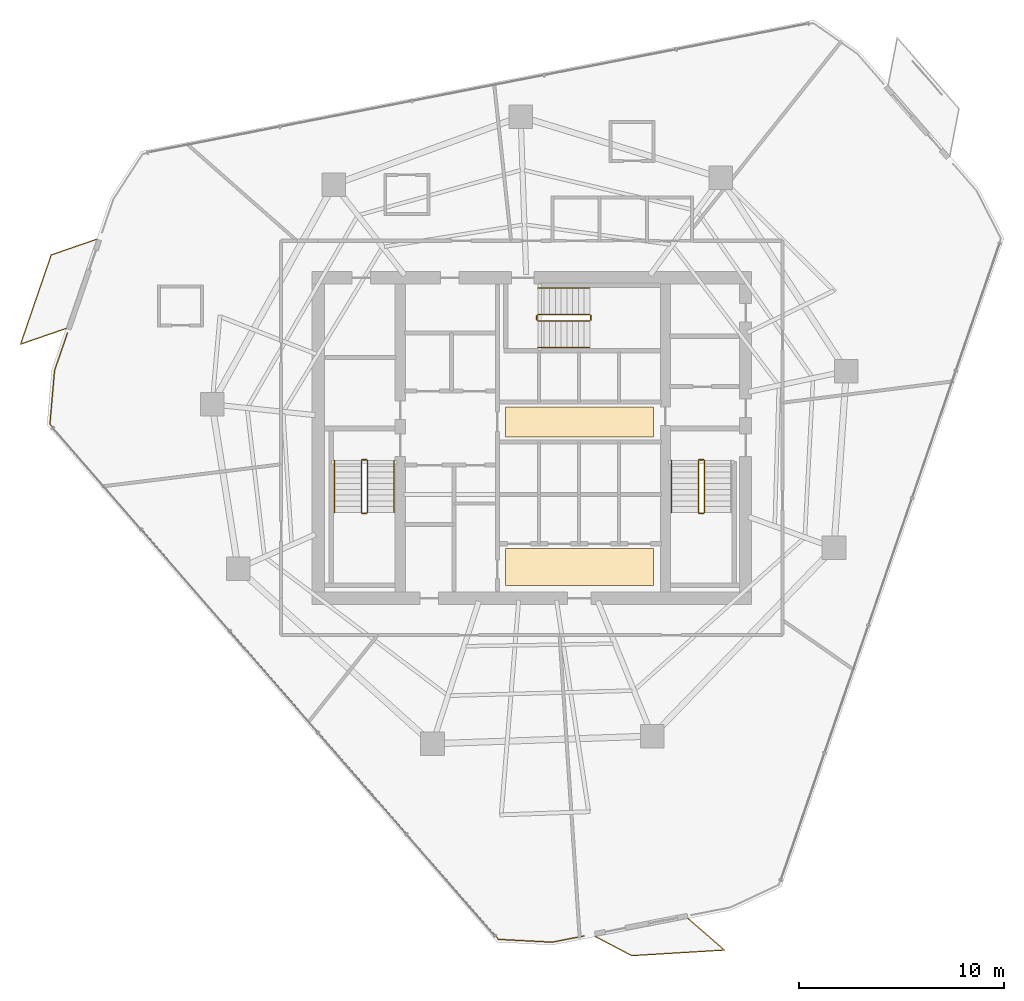
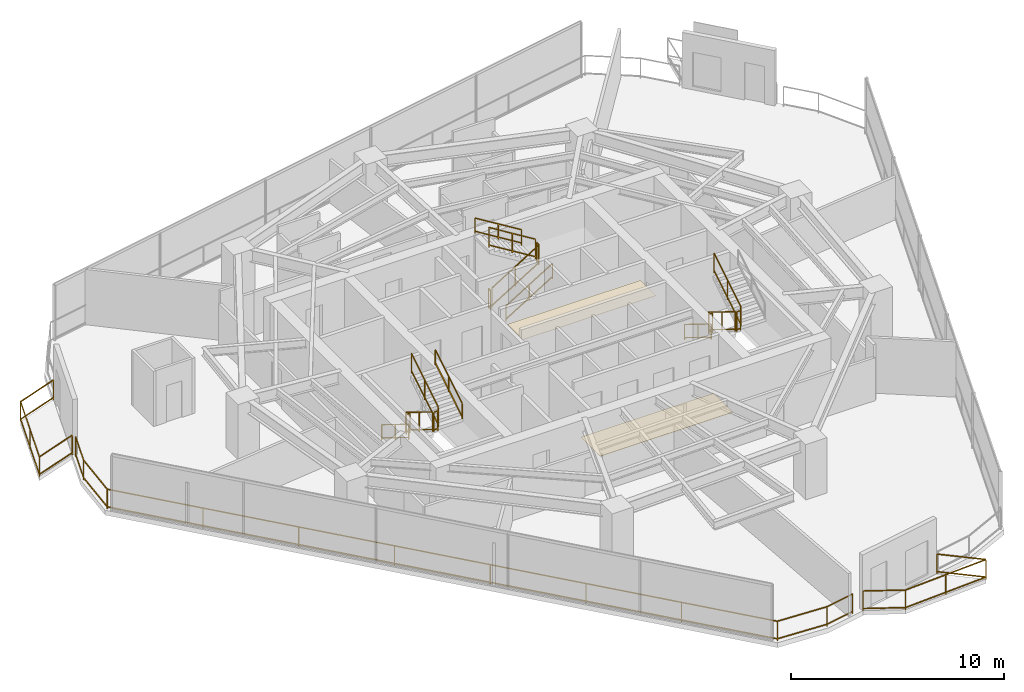
# One storey, part 26 of 27: 20 railings, 2 coverings.
"""IFC4 building model written with IfcOpenShell, lengths in metres."""

from ifc_helpers import new_model, si_unit, direction, frame, origin, origin_2d, place, context, subcontext, project, spatial, rectangle, extrude, material, layer, layer_set, type_object, element, save


model = new_model("IFC4")

# Units and contexts
model_context = context("Model", 3, precision=1e-05, world=origin(), true_north=direction((0.0, 1.0)))
body_context = subcontext(model_context, "Body", "Model", "MODEL_VIEW")
ifc_project = project(units=[si_unit("LENGTHUNIT", "METRE"), si_unit("AREAUNIT", "SQUARE_METRE"), si_unit("VOLUMEUNIT", "CUBIC_METRE"), si_unit("PLANEANGLEUNIT", "RADIAN"), si_unit("MASSUNIT", "GRAM", prefix="KILO")], contexts=[model_context])

# Site, building, storey
site_placement = place(None, origin())
site = spatial("IfcSite", under=ifc_project, at=site_placement, CompositionType="ELEMENT")
building_placement = place(site_placement, origin())
building = spatial("IfcBuilding", under=site, at=building_placement, Name="Qarnah Convention Tower", CompositionType="ELEMENT")
storey_placement = place(building_placement, frame((0.0, 0.0, 107.39990234375)))
storey = spatial("IfcBuildingStorey", under=building, at=storey_placement, Name="L28", CompositionType="ELEMENT", Elevation=107.39990234375)

# Coverings
ifc_material_1 = material(Name="Mineral fibre acoustic ceiling")
ifc_layer_1 = layer(ifc_material_1, 0.02001953125)
ifc_layer_set_1 = layer_set([ifc_layer_1], Name="Mineral fibre acoustic ceiling")
covering_type_1 = type_object("IfcCoveringType", Name="COV-CEIL-20", PredefinedType="CEILING", material=ifc_layer_set_1)
covering_1_placement = place(storey_placement, frame((39.52001953125, 27.179931640625, 2.2900390625), z_axis=(0.0, 0.0, 1.0), x_axis=(1.0, 0.0, 0.0)))
element("IfcCovering", 1, at=covering_1_placement, inside=storey, type_object=covering_type_1, Name="L28 lift lobby acoustic ceiling", PredefinedType="CEILING", context=body_context, shape_type="SweptSolid", body=[
    extrude(rectangle(XDim=7.199951171875, YDim=1.449951171875, at=origin_2d()), origin(), (0.0, 0.0, 1.0), 0.02001953125),
])
ifc_material_2 = material(Name="Porcelain stone floor tile", Category="masonry")
ifc_layer_2 = layer(ifc_material_2, 0.02001953125)
ifc_layer_set_2 = layer_set([ifc_layer_2], Name="Porcelain stone floor tile")
covering_type_2 = type_object("IfcCoveringType", Name="COV-FLOOR-20", PredefinedType="FLOORING", material=ifc_layer_set_2)
covering_2_placement = place(storey_placement, frame((39.52001953125, 20.1201171875, 0.0), z_axis=(0.0, 0.0, 1.0), x_axis=(1.0, 0.0, 0.0)))
element("IfcCovering", 2, at=covering_2_placement, inside=storey, type_object=covering_type_2, Name="L28 lift lobby porcelain stone flooring", PredefinedType="FLOORING", context=body_context, shape_type="SweptSolid", body=[
    extrude(rectangle(XDim=7.199951171875, YDim=1.800048828125, at=origin_2d()), origin(), (0.0, 0.0, 1.0), 0.02001953125),
])

# Railings
ifc_material_3 = material(Name="Black anodised aluminium", Category="aluminium")
railing_type_1 = type_object("IfcRailingType", Name="RL-EXT-GUARD-1150", PredefinedType="GUARDRAIL", material=ifc_material_3)
railing_1_placement = place(storey_placement, frame((39.75390625, 2.1640625, 0.0)))
element("IfcRailing", 3, at=railing_1_placement, inside=storey, type_object=railing_type_1, Name="L28 slab-edge perimeter safety guard 03", PredefinedType="GUARDRAIL", context=body_context, shape_type="SweptSolid", body=[
    extrude(rectangle(XDim=0.048095703125, YDim=0.048095703125, at=origin_2d()), frame((0.0, 0.0, 1.1259765625), z_axis=(-0.981511645843, -0.191402427036, 0.0), x_axis=(0.191402427036, -0.981511645843, 0.0)), (0.0, 0.0, 1.0), 1.594482421875),
    extrude(rectangle(XDim=0.048095703125, YDim=0.048095703125, at=origin_2d()), frame((0.0, 0.0, 0.1201171875), z_axis=(-0.981511645843, -0.191402427036, 0.0), x_axis=(0.191402427036, -0.981511645843, 0.0)), (0.0, 0.0, 1.0), 1.594482421875),
    extrude(rectangle(XDim=0.048095703125, YDim=0.048095703125, at=origin_2d()), frame((-1.56494140625, -0.30517578125, 1.1259765625), z_axis=(-0.998665898346, 0.051637423262, 0.0), x_axis=(-0.051637423262, -0.998665898346, 0.0)), (0.0, 0.0, 1.0), 2.614501953125),
    extrude(rectangle(XDim=0.048095703125, YDim=0.048095703125, at=origin_2d()), frame((-1.56494140625, -0.30517578125, 0.1201171875), z_axis=(-0.998665898346, 0.051637423262, 0.0), x_axis=(-0.051637423262, -0.998665898346, 0.0)), (0.0, 0.0, 1.0), 2.614501953125),
    extrude(rectangle(XDim=0.048095703125, YDim=0.048095703125, at=origin_2d()), frame((-4.176025390625, -0.170166015625, 1.1259765625), z_axis=(-0.656581410369, 0.754255163428, 0.0), x_axis=(-0.754255163428, -0.656581410369, 0.0)), (0.0, 0.0, 1.0), 33.254150390625),
    extrude(rectangle(XDim=0.048095703125, YDim=0.048095703125, at=origin_2d()), frame((-4.176025390625, -0.170166015625, 0.1201171875), z_axis=(-0.656581410369, 0.754255163428, 0.0), x_axis=(-0.754255163428, -0.656581410369, 0.0)), (0.0, 0.0, 1.0), 33.254150390625),
    extrude(rectangle(XDim=0.048095703125, YDim=0.048095703125, at=origin_2d()), frame((-26.010009765625, 24.911865234375, 1.1259765625), z_axis=(0.086089688336, 0.996287391048, 0.0), x_axis=(-0.996287391048, 0.086089688336, 0.0)), (0.0, 0.0, 1.0), 2.61474609375),
    extrude(rectangle(XDim=0.048095703125, YDim=0.048095703125, at=origin_2d()), frame((-26.010009765625, 24.911865234375, 0.1201171875), z_axis=(0.086089688336, 0.996287391048, 0.0), x_axis=(-0.996287391048, 0.086089688336, 0.0)), (0.0, 0.0, 1.0), 2.61474609375),
    extrude(rectangle(XDim=0.048095703125, YDim=0.048095703125, at=origin_2d()), frame((-25.784912109375, 27.516845703125, 1.1259765625), z_axis=(0.325041112416, 0.945699886454, 0.0), x_axis=(-0.945699886454, 0.325041112416, 0.0)), (0.0, 0.0, 1.0), 1.941650390625),
    extrude(rectangle(XDim=0.048095703125, YDim=0.048095703125, at=origin_2d()), frame((-25.784912109375, 27.516845703125, 0.1201171875), z_axis=(0.325041112416, 0.945699886454, 0.0), x_axis=(-0.945699886454, 0.325041112416, 0.0)), (0.0, 0.0, 1.0), 1.941650390625),
    extrude(rectangle(XDim=0.0419921875, YDim=0.0419921875, at=origin_2d()), origin(), (0.0, 0.0, 1.0), 1.101806640625),
    extrude(rectangle(XDim=0.0419921875, YDim=0.0419921875, at=origin_2d()), frame((-1.56494140625, -0.30517578125, 0.0)), (0.0, 0.0, 1.0), 1.101806640625),
    extrude(rectangle(XDim=0.0419921875, YDim=0.0419921875, at=origin_2d()), frame((-4.176025390625, -0.170166015625, 0.0)), (0.0, 0.0, 1.0), 1.101806640625),
    extrude(rectangle(XDim=0.0419921875, YDim=0.0419921875, at=origin_2d()), frame((-7.295166015625, 3.4130859375, 0.0)), (0.0, 0.0, 1.0), 1.101806640625),
    extrude(rectangle(XDim=0.0419921875, YDim=0.0419921875, at=origin_2d()), frame((-10.414306640625, 6.99609375, 0.0)), (0.0, 0.0, 1.0), 1.101806640625),
    extrude(rectangle(XDim=0.0419921875, YDim=0.0419921875, at=origin_2d()), frame((-13.533447265625, 10.579345703125, 0.0)), (0.0, 0.0, 1.0), 1.101806640625),
    extrude(rectangle(XDim=0.0419921875, YDim=0.0419921875, at=origin_2d()), frame((-16.652587890625, 14.162353515625, 0.0)), (0.0, 0.0, 1.0), 1.101806640625),
    extrude(rectangle(XDim=0.0419921875, YDim=0.0419921875, at=origin_2d()), frame((-19.771728515625, 17.74560546875, 0.0)), (0.0, 0.0, 1.0), 1.101806640625),
    extrude(rectangle(XDim=0.0419921875, YDim=0.0419921875, at=origin_2d()), frame((-22.890869140625, 21.32861328125, 0.0)), (0.0, 0.0, 1.0), 1.101806640625),
    extrude(rectangle(XDim=0.0419921875, YDim=0.0419921875, at=origin_2d()), frame((-26.010009765625, 24.911865234375, 0.0)), (0.0, 0.0, 1.0), 1.101806640625),
    extrude(rectangle(XDim=0.0419921875, YDim=0.0419921875, at=origin_2d()), frame((-25.784912109375, 27.516845703125, 0.0)), (0.0, 0.0, 1.0), 1.101806640625),
    extrude(rectangle(XDim=0.0419921875, YDim=0.0419921875, at=origin_2d()), frame((-25.15380859375, 29.35302734375, 0.0)), (0.0, 0.0, 1.0), 1.101806640625),
])
railing_2_placement = place(storey_placement, frame((14.529052734375, 31.72509765625, 0.0)))
element("IfcRailing", 4, at=railing_2_placement, inside=storey, type_object=railing_type_1, Name="L28 balcony safety guard BAL-L28-C2", PredefinedType="GUARDRAIL", context=body_context, shape_type="SweptSolid", body=[
    extrude(rectangle(XDim=0.048095703125, YDim=0.048095703125, at=origin_2d()), frame((0.0, 0.0, 1.1259765625), z_axis=(-0.945377402936, -0.325977861239, 0.0), x_axis=(0.325977861239, -0.945377402936, 0.0)), (0.0, 0.0, 1.0), 2.34716796875),
    extrude(rectangle(XDim=0.048095703125, YDim=0.048095703125, at=origin_2d()), frame((0.0, 0.0, 0.1201171875), z_axis=(-0.945377402936, -0.325977861239, 0.0), x_axis=(0.325977861239, -0.945377402936, 0.0)), (0.0, 0.0, 1.0), 2.34716796875),
    extrude(rectangle(XDim=0.048095703125, YDim=0.048095703125, at=origin_2d()), frame((-2.218994140625, -0.76513671875, 1.1259765625), z_axis=(0.324797895761, 0.945783446096, 0.0), x_axis=(-0.945783446096, 0.324797895761, 0.0)), (0.0, 0.0, 1.0), 4.599365234375),
    extrude(rectangle(XDim=0.048095703125, YDim=0.048095703125, at=origin_2d()), frame((-2.218994140625, -0.76513671875, 0.1201171875), z_axis=(0.324797895761, 0.945783446096, 0.0), x_axis=(-0.945783446096, 0.324797895761, 0.0)), (0.0, 0.0, 1.0), 4.599365234375),
    extrude(rectangle(XDim=0.048095703125, YDim=0.048095703125, at=origin_2d()), frame((-0.72509765625, 3.5849609375, 1.1259765625), z_axis=(0.945281209549, 0.326256700886, 0.0), x_axis=(-0.326256700886, 0.945281209549, 0.0)), (0.0, 0.0, 1.0), 2.347412109375),
    extrude(rectangle(XDim=0.048095703125, YDim=0.048095703125, at=origin_2d()), frame((-0.72509765625, 3.5849609375, 0.1201171875), z_axis=(0.945281209549, 0.326256700886, 0.0), x_axis=(-0.326256700886, 0.945281209549, 0.0)), (0.0, 0.0, 1.0), 2.347412109375),
    extrude(rectangle(XDim=0.0419921875, YDim=0.0419921875, at=origin_2d()), origin(), (0.0, 0.0, 1.0), 1.101806640625),
    extrude(rectangle(XDim=0.0419921875, YDim=0.0419921875, at=origin_2d()), frame((-2.218994140625, -0.76513671875, 0.0)), (0.0, 0.0, 1.0), 1.101806640625),
    extrude(rectangle(XDim=0.0419921875, YDim=0.0419921875, at=origin_2d()), frame((-1.47216796875, 1.409912109375, 0.0)), (0.0, 0.0, 1.0), 1.101806640625),
    extrude(rectangle(XDim=0.0419921875, YDim=0.0419921875, at=origin_2d()), frame((-0.72509765625, 3.5849609375, 0.0)), (0.0, 0.0, 1.0), 1.101806640625),
    extrude(rectangle(XDim=0.0419921875, YDim=0.0419921875, at=origin_2d()), frame((1.493896484375, 4.350830078125, 0.0)), (0.0, 0.0, 1.0), 1.101806640625),
])
railing_3_placement = place(storey_placement, frame((44.805908203125, 3.011962890625, 0.0)))
element("IfcRailing", 5, at=railing_3_placement, inside=storey, type_object=railing_type_1, Name="L28 balcony safety guard BAL-L28-C3", PredefinedType="GUARDRAIL", context=body_context, shape_type="SweptSolid", body=[
    extrude(rectangle(XDim=0.048095703125, YDim=0.048095703125, at=origin_2d()), frame((0.0, 0.0, 1.1259765625), z_axis=(0.755205133166, -0.655488525331, 0.0), x_axis=(0.655488525331, 0.755205133166, 0.0)), (0.0, 0.0, 1.0), 2.347900390625),
    extrude(rectangle(XDim=0.048095703125, YDim=0.048095703125, at=origin_2d()), frame((0.0, 0.0, 0.1201171875), z_axis=(0.755205133166, -0.655488525331, 0.0), x_axis=(0.655488525331, 0.755205133166, 0.0)), (0.0, 0.0, 1.0), 2.347900390625),
    extrude(rectangle(XDim=0.048095703125, YDim=0.048095703125, at=origin_2d()), frame((1.773193359375, -1.5390625, 1.1259765625), z_axis=(-0.998177768442, -0.060341880887, 0.0), x_axis=(0.060341880887, -0.998177768442, 0.0)), (0.0, 0.0, 1.0), 4.5234375),
    extrude(rectangle(XDim=0.048095703125, YDim=0.048095703125, at=origin_2d()), frame((1.773193359375, -1.5390625, 0.1201171875), z_axis=(-0.998177768442, -0.060341880887, 0.0), x_axis=(0.060341880887, -0.998177768442, 0.0)), (0.0, 0.0, 1.0), 4.5234375),
    extrude(rectangle(XDim=0.048095703125, YDim=0.048095703125, at=origin_2d()), frame((-2.741943359375, -1.81201171875, 1.1259765625), z_axis=(-0.885325139005, 0.464972470417, 0.0), x_axis=(-0.464972470417, -0.885325139005, 0.0)), (0.0, 0.0, 1.0), 2.002685546875),
    extrude(rectangle(XDim=0.048095703125, YDim=0.048095703125, at=origin_2d()), frame((-2.741943359375, -1.81201171875, 0.1201171875), z_axis=(-0.885325139005, 0.464972470417, 0.0), x_axis=(-0.464972470417, -0.885325139005, 0.0)), (0.0, 0.0, 1.0), 2.002685546875),
    extrude(rectangle(XDim=0.0419921875, YDim=0.0419921875, at=origin_2d()), origin(), (0.0, 0.0, 1.0), 1.101806640625),
    extrude(rectangle(XDim=0.0419921875, YDim=0.0419921875, at=origin_2d()), frame((1.773193359375, -1.5390625, 0.0)), (0.0, 0.0, 1.0), 1.101806640625),
    extrude(rectangle(XDim=0.0419921875, YDim=0.0419921875, at=origin_2d()), frame((-0.484375, -1.675537109375, 0.0)), (0.0, 0.0, 1.0), 1.101806640625),
    extrude(rectangle(XDim=0.0419921875, YDim=0.0419921875, at=origin_2d()), frame((-2.741943359375, -1.81201171875, 0.0)), (0.0, 0.0, 1.0), 1.101806640625),
    extrude(rectangle(XDim=0.0419921875, YDim=0.0419921875, at=origin_2d()), frame((-4.514892578125, -0.880859375, 0.0)), (0.0, 0.0, 1.0), 1.101806640625),
])
ifc_material_4 = material(Name="Structural steel S355JR", Category="steel")
railing_type_2 = type_object("IfcRailingType", Name="RL-STAIR-GUARD-1150", PredefinedType="GUARDRAIL", material=ifc_material_4)
railing_4_placement = place(storey_placement, frame((28.89990234375, 25.300048828125, 0.172607421875)))
element("IfcRailing", 6, at=railing_4_placement, inside=storey, type_object=railing_type_2, Name="L28 ST-1 stair guard 1", PredefinedType="GUARDRAIL", context=body_context, shape_type="SweptSolid", body=[
    extrude(rectangle(XDim=0.048095703125, YDim=0.048095703125, at=origin_2d()), frame((0.0, 0.0, 1.1259765625), z_axis=(0.0, -0.851400495292, 0.524516154772), x_axis=(1.0, 0.0, 0.0)), (0.0, 0.0, 1.0), 2.9599609375),
    extrude(rectangle(XDim=0.048095703125, YDim=0.048095703125, at=origin_2d()), frame((0.0, 0.0, 0.1201171875), z_axis=(0.0, -0.851400495292, 0.524516154772), x_axis=(1.0, 0.0, 0.0)), (0.0, 0.0, 1.0), 2.9599609375),
    extrude(rectangle(XDim=0.0419921875, YDim=0.0419921875, at=origin_2d()), origin(), (0.0, 0.0, 1.0), 1.101806640625),
    extrude(rectangle(XDim=0.0419921875, YDim=0.0419921875, at=origin_2d()), frame((0.0, -1.260009765625, 0.7763671875)), (0.0, 0.0, 1.0), 1.101806640625),
    extrude(rectangle(XDim=0.0419921875, YDim=0.0419921875, at=origin_2d()), frame((0.0, -2.52001953125, 1.552490234375)), (0.0, 0.0, 1.0), 1.101806640625),
])
railing_5_placement = place(storey_placement, frame((28.949951171875, 22.72998046875, 1.72509765625)))
element("IfcRailing", 7, at=railing_5_placement, inside=storey, type_object=railing_type_2, Name="L28 ST-1 stair guard 2", PredefinedType="GUARDRAIL", context=body_context, shape_type="SweptSolid", body=[
    extrude(rectangle(XDim=0.048095703125, YDim=0.048095703125, at=origin_2d()), frame((0.0, 0.0, 1.1259765625), z_axis=(1.0, 0.0, 0.0), x_axis=(0.0, 1.0, 0.0)), (0.0, 0.0, 1.0), 0.199951171875),
    extrude(rectangle(XDim=0.048095703125, YDim=0.048095703125, at=origin_2d()), frame((0.0, 0.0, 0.1201171875), z_axis=(1.0, 0.0, 0.0), x_axis=(0.0, 1.0, 0.0)), (0.0, 0.0, 1.0), 0.199951171875),
    extrude(rectangle(XDim=0.0419921875, YDim=0.0419921875, at=origin_2d()), origin(), (0.0, 0.0, 1.0), 1.101806640625),
    extrude(rectangle(XDim=0.0419921875, YDim=0.0419921875, at=origin_2d()), frame((0.199951171875, 0.0, 0.0)), (0.0, 0.0, 1.0), 1.101806640625),
])
railing_6_placement = place(storey_placement, frame((29.199951171875, 22.780029296875, 1.897705078125)))
element("IfcRailing", 8, at=railing_6_placement, inside=storey, type_object=railing_type_2, Name="L28 ST-1 stair guard 3", PredefinedType="GUARDRAIL", context=body_context, shape_type="SweptSolid", body=[
    extrude(rectangle(XDim=0.048095703125, YDim=0.048095703125, at=origin_2d()), frame((0.0, 0.0, 1.1259765625), z_axis=(0.0, 0.851400495292, 0.524516154772), x_axis=(-1.0, 0.0, 0.0)), (0.0, 0.0, 1.0), 2.9599609375),
    extrude(rectangle(XDim=0.048095703125, YDim=0.048095703125, at=origin_2d()), frame((0.0, 0.0, 0.1201171875), z_axis=(0.0, 0.851400495292, 0.524516154772), x_axis=(-1.0, 0.0, 0.0)), (0.0, 0.0, 1.0), 2.9599609375),
    extrude(rectangle(XDim=0.0419921875, YDim=0.0419921875, at=origin_2d()), origin(), (0.0, 0.0, 1.0), 1.101806640625),
    extrude(rectangle(XDim=0.0419921875, YDim=0.0419921875, at=origin_2d()), frame((0.0, 1.260009765625, 0.7763671875)), (0.0, 0.0, 1.0), 1.101806640625),
    extrude(rectangle(XDim=0.0419921875, YDim=0.0419921875, at=origin_2d()), frame((0.0, 2.52001953125, 1.552490234375)), (0.0, 0.0, 1.0), 1.101806640625),
])
railing_7_placement = place(storey_placement, frame((28.949951171875, 25.35009765625, 0.0)))
element("IfcRailing", 9, at=railing_7_placement, inside=storey, type_object=railing_type_2, Name="L28 ST-1 stair guard 4", PredefinedType="GUARDRAIL", context=body_context, shape_type="SweptSolid", body=[
    extrude(rectangle(XDim=0.048095703125, YDim=0.048095703125, at=origin_2d()), frame((0.0, 0.0, 1.1259765625), z_axis=(1.0, 0.0, 0.0), x_axis=(0.0, 1.0, 0.0)), (0.0, 0.0, 1.0), 0.199951171875),
    extrude(rectangle(XDim=0.048095703125, YDim=0.048095703125, at=origin_2d()), frame((0.0, 0.0, 0.1201171875), z_axis=(1.0, 0.0, 0.0), x_axis=(0.0, 1.0, 0.0)), (0.0, 0.0, 1.0), 0.199951171875),
    extrude(rectangle(XDim=0.0419921875, YDim=0.0419921875, at=origin_2d()), origin(), (0.0, 0.0, 1.0), 1.101806640625),
    extrude(rectangle(XDim=0.0419921875, YDim=0.0419921875, at=origin_2d()), frame((0.199951171875, 0.0, 0.0)), (0.0, 0.0, 1.0), 1.101806640625),
])
railing_8_placement = place(storey_placement, frame((45.300048828125, 25.300048828125, 0.172607421875)))
element("IfcRailing", 10, at=railing_8_placement, inside=storey, type_object=railing_type_2, Name="L28 ST-2 stair guard 1", PredefinedType="GUARDRAIL", context=body_context, shape_type="SweptSolid", body=[
    extrude(rectangle(XDim=0.048095703125, YDim=0.048095703125, at=origin_2d()), frame((0.0, 0.0, 1.1259765625), z_axis=(0.0, -0.851400495292, 0.524516154772), x_axis=(1.0, 0.0, 0.0)), (0.0, 0.0, 1.0), 2.9599609375),
    extrude(rectangle(XDim=0.048095703125, YDim=0.048095703125, at=origin_2d()), frame((0.0, 0.0, 0.1201171875), z_axis=(0.0, -0.851400495292, 0.524516154772), x_axis=(1.0, 0.0, 0.0)), (0.0, 0.0, 1.0), 2.9599609375),
    extrude(rectangle(XDim=0.0419921875, YDim=0.0419921875, at=origin_2d()), origin(), (0.0, 0.0, 1.0), 1.101806640625),
    extrude(rectangle(XDim=0.0419921875, YDim=0.0419921875, at=origin_2d()), frame((0.0, -1.260009765625, 0.7763671875)), (0.0, 0.0, 1.0), 1.101806640625),
    extrude(rectangle(XDim=0.0419921875, YDim=0.0419921875, at=origin_2d()), frame((0.0, -2.52001953125, 1.552490234375)), (0.0, 0.0, 1.0), 1.101806640625),
])
railing_9_placement = place(storey_placement, frame((45.35009765625, 22.72998046875, 1.72509765625)))
element("IfcRailing", 11, at=railing_9_placement, inside=storey, type_object=railing_type_2, Name="L28 ST-2 stair guard 2", PredefinedType="GUARDRAIL", context=body_context, shape_type="SweptSolid", body=[
    extrude(rectangle(XDim=0.048095703125, YDim=0.048095703125, at=origin_2d()), frame((0.0, 0.0, 1.1259765625), z_axis=(1.0, 0.0, 0.0), x_axis=(0.0, 1.0, 0.0)), (0.0, 0.0, 1.0), 0.199951171875),
    extrude(rectangle(XDim=0.048095703125, YDim=0.048095703125, at=origin_2d()), frame((0.0, 0.0, 0.1201171875), z_axis=(1.0, 0.0, 0.0), x_axis=(0.0, 1.0, 0.0)), (0.0, 0.0, 1.0), 0.199951171875),
    extrude(rectangle(XDim=0.0419921875, YDim=0.0419921875, at=origin_2d()), origin(), (0.0, 0.0, 1.0), 1.101806640625),
    extrude(rectangle(XDim=0.0419921875, YDim=0.0419921875, at=origin_2d()), frame((0.199951171875, 0.0, 0.0)), (0.0, 0.0, 1.0), 1.101806640625),
])
railing_10_placement = place(storey_placement, frame((45.60009765625, 22.780029296875, 1.897705078125)))
element("IfcRailing", 12, at=railing_10_placement, inside=storey, type_object=railing_type_2, Name="L28 ST-2 stair guard 3", PredefinedType="GUARDRAIL", context=body_context, shape_type="SweptSolid", body=[
    extrude(rectangle(XDim=0.048095703125, YDim=0.048095703125, at=origin_2d()), frame((0.0, 0.0, 1.1259765625), z_axis=(0.0, 0.851400495292, 0.524516154772), x_axis=(-1.0, 0.0, 0.0)), (0.0, 0.0, 1.0), 2.9599609375),
    extrude(rectangle(XDim=0.048095703125, YDim=0.048095703125, at=origin_2d()), frame((0.0, 0.0, 0.1201171875), z_axis=(0.0, 0.851400495292, 0.524516154772), x_axis=(-1.0, 0.0, 0.0)), (0.0, 0.0, 1.0), 2.9599609375),
    extrude(rectangle(XDim=0.0419921875, YDim=0.0419921875, at=origin_2d()), origin(), (0.0, 0.0, 1.0), 1.101806640625),
    extrude(rectangle(XDim=0.0419921875, YDim=0.0419921875, at=origin_2d()), frame((0.0, 1.260009765625, 0.7763671875)), (0.0, 0.0, 1.0), 1.101806640625),
    extrude(rectangle(XDim=0.0419921875, YDim=0.0419921875, at=origin_2d()), frame((0.0, 2.52001953125, 1.552490234375)), (0.0, 0.0, 1.0), 1.101806640625),
])
railing_11_placement = place(storey_placement, frame((45.35009765625, 25.35009765625, 0.0)))
element("IfcRailing", 13, at=railing_11_placement, inside=storey, type_object=railing_type_2, Name="L28 ST-2 stair guard 4", PredefinedType="GUARDRAIL", context=body_context, shape_type="SweptSolid", body=[
    extrude(rectangle(XDim=0.048095703125, YDim=0.048095703125, at=origin_2d()), frame((0.0, 0.0, 1.1259765625), z_axis=(1.0, 0.0, 0.0), x_axis=(0.0, 1.0, 0.0)), (0.0, 0.0, 1.0), 0.199951171875),
    extrude(rectangle(XDim=0.048095703125, YDim=0.048095703125, at=origin_2d()), frame((0.0, 0.0, 0.1201171875), z_axis=(1.0, 0.0, 0.0), x_axis=(0.0, 1.0, 0.0)), (0.0, 0.0, 1.0), 0.199951171875),
    extrude(rectangle(XDim=0.0419921875, YDim=0.0419921875, at=origin_2d()), origin(), (0.0, 0.0, 1.0), 1.101806640625),
    extrude(rectangle(XDim=0.0419921875, YDim=0.0419921875, at=origin_2d()), frame((0.199951171875, 0.0, 0.0)), (0.0, 0.0, 1.0), 1.101806640625),
])
railing_12_placement = place(storey_placement, frame((37.5, 32.10009765625, 0.172607421875)))
element("IfcRailing", 14, at=railing_12_placement, inside=storey, type_object=railing_type_2, Name="L28 ST-3 stair guard 1", PredefinedType="GUARDRAIL", context=body_context, shape_type="SweptSolid", body=[
    extrude(rectangle(XDim=0.048095703125, YDim=0.048095703125, at=origin_2d()), frame((0.0, 0.0, 1.1259765625), z_axis=(0.851400495292, 0.0, 0.524516154772), x_axis=(0.0, 1.0, 0.0)), (0.0, 0.0, 1.0), 2.9599609375),
    extrude(rectangle(XDim=0.048095703125, YDim=0.048095703125, at=origin_2d()), frame((0.0, 0.0, 0.1201171875), z_axis=(0.851400495292, 0.0, 0.524516154772), x_axis=(0.0, 1.0, 0.0)), (0.0, 0.0, 1.0), 2.9599609375),
    extrude(rectangle(XDim=0.0419921875, YDim=0.0419921875, at=origin_2d()), origin(), (0.0, 0.0, 1.0), 1.101806640625),
    extrude(rectangle(XDim=0.0419921875, YDim=0.0419921875, at=origin_2d()), frame((1.260009765625, 0.0, 0.7763671875)), (0.0, 0.0, 1.0), 1.101806640625),
    extrude(rectangle(XDim=0.0419921875, YDim=0.0419921875, at=origin_2d()), frame((2.52001953125, 0.0, 1.552490234375)), (0.0, 0.0, 1.0), 1.101806640625),
])
railing_13_placement = place(storey_placement, frame((40.070068359375, 32.14990234375, 1.72509765625)))
element("IfcRailing", 15, at=railing_13_placement, inside=storey, type_object=railing_type_2, Name="L28 ST-3 stair guard 2", PredefinedType="GUARDRAIL", context=body_context, shape_type="SweptSolid", body=[
    extrude(rectangle(XDim=0.048095703125, YDim=0.048095703125, at=origin_2d()), frame((0.0, 0.0, 1.1259765625), z_axis=(0.0, 1.0, 0.0), x_axis=(-1.0, 0.0, 0.0)), (0.0, 0.0, 1.0), 0.2001953125),
    extrude(rectangle(XDim=0.048095703125, YDim=0.048095703125, at=origin_2d()), frame((0.0, 0.0, 0.1201171875), z_axis=(0.0, 1.0, 0.0), x_axis=(-1.0, 0.0, 0.0)), (0.0, 0.0, 1.0), 0.2001953125),
    extrude(rectangle(XDim=0.0419921875, YDim=0.0419921875, at=origin_2d()), origin(), (0.0, 0.0, 1.0), 1.101806640625),
    extrude(rectangle(XDim=0.0419921875, YDim=0.0419921875, at=origin_2d()), frame((0.0, 0.2001953125, 0.0)), (0.0, 0.0, 1.0), 1.101806640625),
])
railing_14_placement = place(storey_placement, frame((40.02001953125, 32.39990234375, 1.897705078125)))
element("IfcRailing", 16, at=railing_14_placement, inside=storey, type_object=railing_type_2, Name="L28 ST-3 stair guard 3", PredefinedType="GUARDRAIL", context=body_context, shape_type="SweptSolid", body=[
    extrude(rectangle(XDim=0.048095703125, YDim=0.048095703125, at=origin_2d()), frame((0.0, 0.0, 1.1259765625), z_axis=(-0.851400495292, 0.0, 0.524516154772), x_axis=(0.0, -1.0, 0.0)), (0.0, 0.0, 1.0), 2.9599609375),
    extrude(rectangle(XDim=0.048095703125, YDim=0.048095703125, at=origin_2d()), frame((0.0, 0.0, 0.1201171875), z_axis=(-0.851400495292, 0.0, 0.524516154772), x_axis=(0.0, -1.0, 0.0)), (0.0, 0.0, 1.0), 2.9599609375),
    extrude(rectangle(XDim=0.0419921875, YDim=0.0419921875, at=origin_2d()), origin(), (0.0, 0.0, 1.0), 1.101806640625),
    extrude(rectangle(XDim=0.0419921875, YDim=0.0419921875, at=origin_2d()), frame((-1.260009765625, 0.0, 0.7763671875)), (0.0, 0.0, 1.0), 1.101806640625),
    extrude(rectangle(XDim=0.0419921875, YDim=0.0419921875, at=origin_2d()), frame((-2.52001953125, 0.0, 1.552490234375)), (0.0, 0.0, 1.0), 1.101806640625),
])
railing_15_placement = place(storey_placement, frame((37.449951171875, 32.14990234375, 0.0)))
element("IfcRailing", 17, at=railing_15_placement, inside=storey, type_object=railing_type_2, Name="L28 ST-3 stair guard 4", PredefinedType="GUARDRAIL", context=body_context, shape_type="SweptSolid", body=[
    extrude(rectangle(XDim=0.048095703125, YDim=0.048095703125, at=origin_2d()), frame((0.0, 0.0, 1.1259765625), z_axis=(0.0, 1.0, 0.0), x_axis=(-1.0, 0.0, 0.0)), (0.0, 0.0, 1.0), 0.2001953125),
    extrude(rectangle(XDim=0.048095703125, YDim=0.048095703125, at=origin_2d()), frame((0.0, 0.0, 0.1201171875), z_axis=(0.0, 1.0, 0.0), x_axis=(-1.0, 0.0, 0.0)), (0.0, 0.0, 1.0), 0.2001953125),
    extrude(rectangle(XDim=0.0419921875, YDim=0.0419921875, at=origin_2d()), origin(), (0.0, 0.0, 1.0), 1.101806640625),
    extrude(rectangle(XDim=0.0419921875, YDim=0.0419921875, at=origin_2d()), frame((0.0, 0.2001953125, 0.0)), (0.0, 0.0, 1.0), 1.101806640625),
])
railing_type_3 = type_object("IfcRailingType", Name="RL-STAIR-HAND-900", PredefinedType="HANDRAIL", material=ifc_material_4)
railing_16_placement = place(storey_placement, frame((27.60009765625, 25.300048828125, 0.172607421875)))
element("IfcRailing", 18, at=railing_16_placement, inside=storey, type_object=railing_type_3, Name="L28 ST-1 stair handrail 1", PredefinedType="HANDRAIL", context=body_context, shape_type="SweptSolid", body=[
    extrude(rectangle(XDim=0.048095703125, YDim=0.048095703125, at=origin_2d()), frame((0.0, 0.0, 0.8759765625), z_axis=(0.0, -0.851400495292, 0.524516154772), x_axis=(1.0, 0.0, 0.0)), (0.0, 0.0, 1.0), 2.9599609375),
    extrude(rectangle(XDim=0.048095703125, YDim=0.048095703125, at=origin_2d()), frame((0.0, 0.0, 0.1201171875), z_axis=(0.0, -0.851400495292, 0.524516154772), x_axis=(1.0, 0.0, 0.0)), (0.0, 0.0, 1.0), 2.9599609375),
    extrude(rectangle(XDim=0.0419921875, YDim=0.0419921875, at=origin_2d()), origin(), (0.0, 0.0, 1.0), 0.851806640625),
    extrude(rectangle(XDim=0.0419921875, YDim=0.0419921875, at=origin_2d()), frame((0.0, -1.260009765625, 0.7763671875)), (0.0, 0.0, 1.0), 0.851806640625),
    extrude(rectangle(XDim=0.0419921875, YDim=0.0419921875, at=origin_2d()), frame((0.0, -2.52001953125, 1.552490234375)), (0.0, 0.0, 1.0), 0.851806640625),
])
railing_17_placement = place(storey_placement, frame((30.5, 22.780029296875, 1.897705078125)))
element("IfcRailing", 19, at=railing_17_placement, inside=storey, type_object=railing_type_3, Name="L28 ST-1 stair handrail 2", PredefinedType="HANDRAIL", context=body_context, shape_type="SweptSolid", body=[
    extrude(rectangle(XDim=0.048095703125, YDim=0.048095703125, at=origin_2d()), frame((0.0, 0.0, 0.8759765625), z_axis=(0.0, 0.851400495292, 0.524516154772), x_axis=(-1.0, 0.0, 0.0)), (0.0, 0.0, 1.0), 2.9599609375),
    extrude(rectangle(XDim=0.048095703125, YDim=0.048095703125, at=origin_2d()), frame((0.0, 0.0, 0.1201171875), z_axis=(0.0, 0.851400495292, 0.524516154772), x_axis=(-1.0, 0.0, 0.0)), (0.0, 0.0, 1.0), 2.9599609375),
    extrude(rectangle(XDim=0.0419921875, YDim=0.0419921875, at=origin_2d()), origin(), (0.0, 0.0, 1.0), 0.851806640625),
    extrude(rectangle(XDim=0.0419921875, YDim=0.0419921875, at=origin_2d()), frame((0.0, 1.260009765625, 0.7763671875)), (0.0, 0.0, 1.0), 0.851806640625),
    extrude(rectangle(XDim=0.0419921875, YDim=0.0419921875, at=origin_2d()), frame((0.0, 2.52001953125, 1.552490234375)), (0.0, 0.0, 1.0), 0.851806640625),
])
railing_18_placement = place(storey_placement, frame((44.0, 25.300048828125, 0.172607421875)))
element("IfcRailing", 20, at=railing_18_placement, inside=storey, type_object=railing_type_3, Name="L28 ST-2 stair handrail 1", PredefinedType="HANDRAIL", context=body_context, shape_type="SweptSolid", body=[
    extrude(rectangle(XDim=0.048095703125, YDim=0.048095703125, at=origin_2d()), frame((0.0, 0.0, 0.8759765625), z_axis=(0.0, -0.851400495292, 0.524516154772), x_axis=(1.0, 0.0, 0.0)), (0.0, 0.0, 1.0), 2.9599609375),
    extrude(rectangle(XDim=0.048095703125, YDim=0.048095703125, at=origin_2d()), frame((0.0, 0.0, 0.1201171875), z_axis=(0.0, -0.851400495292, 0.524516154772), x_axis=(1.0, 0.0, 0.0)), (0.0, 0.0, 1.0), 2.9599609375),
    extrude(rectangle(XDim=0.0419921875, YDim=0.0419921875, at=origin_2d()), origin(), (0.0, 0.0, 1.0), 0.851806640625),
    extrude(rectangle(XDim=0.0419921875, YDim=0.0419921875, at=origin_2d()), frame((0.0, -1.260009765625, 0.7763671875)), (0.0, 0.0, 1.0), 0.851806640625),
    extrude(rectangle(XDim=0.0419921875, YDim=0.0419921875, at=origin_2d()), frame((0.0, -2.52001953125, 1.552490234375)), (0.0, 0.0, 1.0), 0.851806640625),
])
railing_19_placement = place(storey_placement, frame((37.5, 30.800048828125, 0.172607421875)))
element("IfcRailing", 21, at=railing_19_placement, inside=storey, type_object=railing_type_3, Name="L28 ST-3 stair handrail 1", PredefinedType="HANDRAIL", context=body_context, shape_type="SweptSolid", body=[
    extrude(rectangle(XDim=0.048095703125, YDim=0.048095703125, at=origin_2d()), frame((0.0, 0.0, 0.8759765625), z_axis=(0.851400495292, 0.0, 0.524516154772), x_axis=(0.0, 1.0, 0.0)), (0.0, 0.0, 1.0), 2.9599609375),
    extrude(rectangle(XDim=0.048095703125, YDim=0.048095703125, at=origin_2d()), frame((0.0, 0.0, 0.1201171875), z_axis=(0.851400495292, 0.0, 0.524516154772), x_axis=(0.0, 1.0, 0.0)), (0.0, 0.0, 1.0), 2.9599609375),
    extrude(rectangle(XDim=0.0419921875, YDim=0.0419921875, at=origin_2d()), origin(), (0.0, 0.0, 1.0), 0.851806640625),
    extrude(rectangle(XDim=0.0419921875, YDim=0.0419921875, at=origin_2d()), frame((1.260009765625, 0.0, 0.7763671875)), (0.0, 0.0, 1.0), 0.851806640625),
    extrude(rectangle(XDim=0.0419921875, YDim=0.0419921875, at=origin_2d()), frame((2.52001953125, 0.0, 1.552490234375)), (0.0, 0.0, 1.0), 0.851806640625),
])
railing_20_placement = place(storey_placement, frame((40.02001953125, 33.699951171875, 1.897705078125)))
element("IfcRailing", 22, at=railing_20_placement, inside=storey, type_object=railing_type_3, Name="L28 ST-3 stair handrail 2", PredefinedType="HANDRAIL", context=body_context, shape_type="SweptSolid", body=[
    extrude(rectangle(XDim=0.048095703125, YDim=0.048095703125, at=origin_2d()), frame((0.0, 0.0, 0.8759765625), z_axis=(-0.851400495292, 0.0, 0.524516154772), x_axis=(0.0, -1.0, 0.0)), (0.0, 0.0, 1.0), 2.9599609375),
    extrude(rectangle(XDim=0.048095703125, YDim=0.048095703125, at=origin_2d()), frame((0.0, 0.0, 0.1201171875), z_axis=(-0.851400495292, 0.0, 0.524516154772), x_axis=(0.0, -1.0, 0.0)), (0.0, 0.0, 1.0), 2.9599609375),
    extrude(rectangle(XDim=0.0419921875, YDim=0.0419921875, at=origin_2d()), origin(), (0.0, 0.0, 1.0), 0.851806640625),
    extrude(rectangle(XDim=0.0419921875, YDim=0.0419921875, at=origin_2d()), frame((-1.260009765625, 0.0, 0.7763671875)), (0.0, 0.0, 1.0), 0.851806640625),
    extrude(rectangle(XDim=0.0419921875, YDim=0.0419921875, at=origin_2d()), frame((-2.52001953125, 0.0, 1.552490234375)), (0.0, 0.0, 1.0), 0.851806640625),
])

save(model, "model.ifc")
